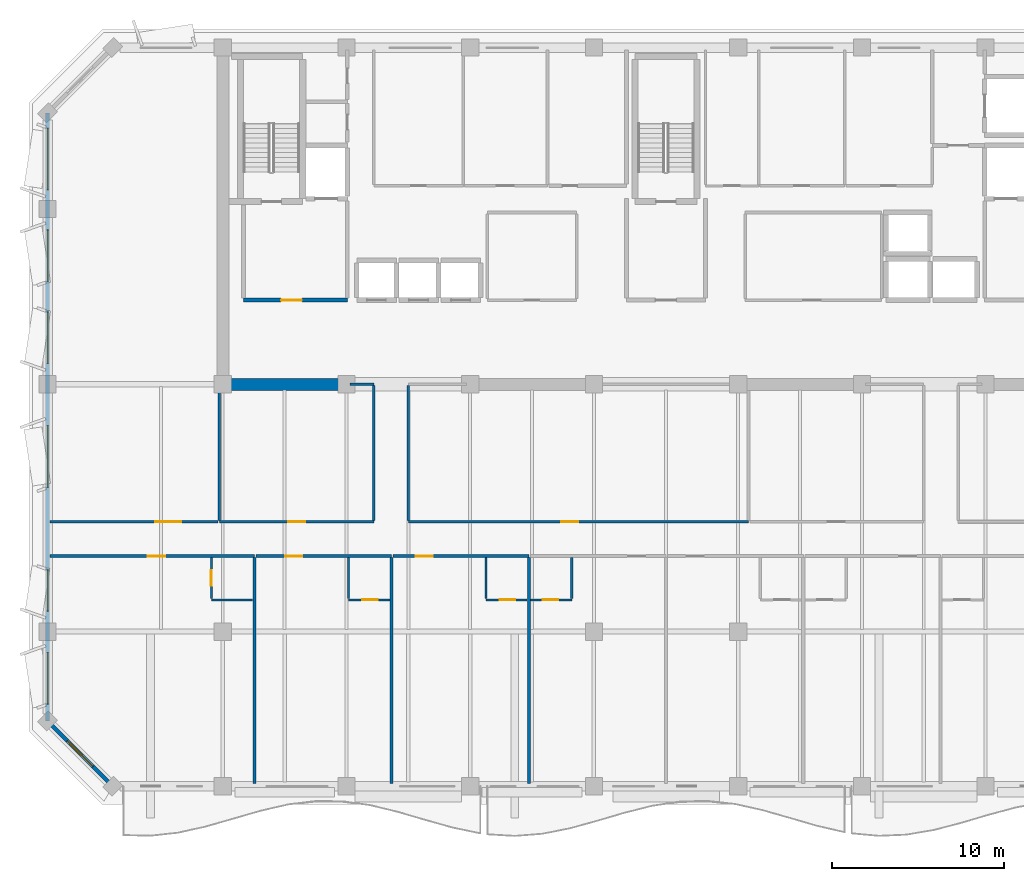
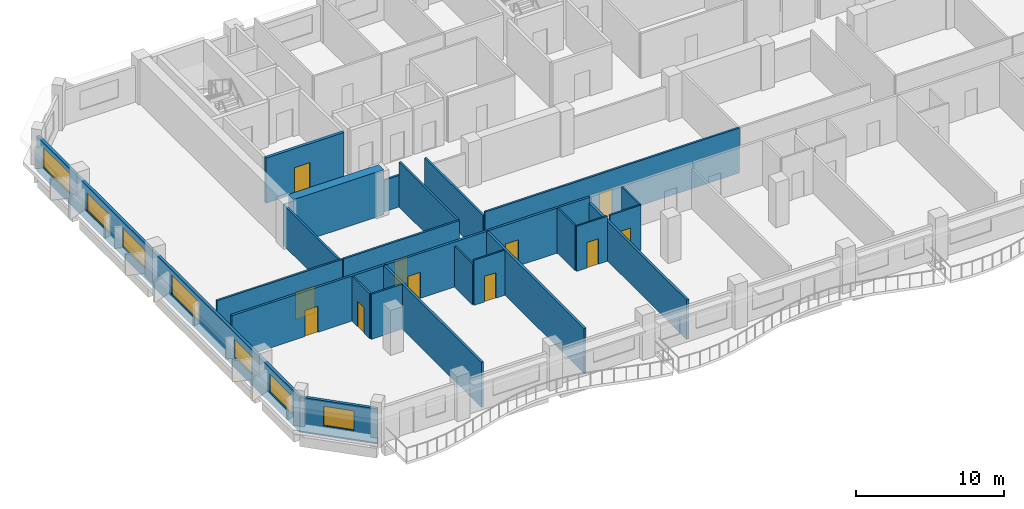
# One storey, part 3 of 11: 25 walls, 11 doors, 7 windows, 18 openings.
"""IFC4 building model written with IfcOpenShell, lengths in metres."""

from ifc_helpers import new_model, si_unit, direction, frame, frame_2d, origin, place, context, subcontext, project, spatial, rectangle, extrude, material, layer, layer_set, type_object, element, fill, save


model = new_model("IFC4")

# Units and contexts
model_context = context("Model", 3, precision=1e-05, world=origin(), true_north=direction((0.0, 1.0)))
body_context = subcontext(model_context, "Body", "Model", "MODEL_VIEW")
ifc_project = project(units=[si_unit("LENGTHUNIT", "METRE"), si_unit("AREAUNIT", "SQUARE_METRE"), si_unit("VOLUMEUNIT", "CUBIC_METRE"), si_unit("PLANEANGLEUNIT", "RADIAN"), si_unit("MASSUNIT", "GRAM", prefix="KILO")], contexts=[model_context])

# Site, building, storey
site_placement = place(None, origin())
site = spatial("IfcSite", under=ifc_project, at=site_placement, CompositionType="ELEMENT")
building_placement = place(site_placement, origin())
building = spatial("IfcBuilding", under=site, at=building_placement, Name="Kaelvorn Grand Hotel", CompositionType="ELEMENT")
storey_placement = place(building_placement, frame((0.0, 0.0, 248.89990234375)))
storey = spatial("IfcBuildingStorey", under=building, at=storey_placement, Name="L61", CompositionType="ELEMENT", Elevation=248.89990234375)

# Wall
ifc_material_1 = material(Name="Concrete C50/60", Category="concrete")
ifc_layer_1 = layer(ifc_material_1, 0.699951171875)
ifc_layer_set_1 = layer_set([ifc_layer_1], Name="Concrete C50/60")
wall_type_1 = type_object("IfcWallType", Name="WL-CORE-700-C50", PredefinedType="SHEAR", material=ifc_layer_set_1)
wall_1_placement = place(storey_placement, frame((16.554931640625, 29.39990234375, 0.0), z_axis=(0.0, 0.0, 1.0), x_axis=(1.0, 0.0, 0.0)))
element("IfcWall", 1, at=wall_1_placement, inside=storey, type_object=wall_type_1, Name="L61 Rear-Core Coupled Shear Pier S1", PredefinedType="SHEAR", context=body_context, shape_type="SweptSolid", body=[
    extrude(rectangle(XDim=7.045166015625, YDim=0.699951171875, at=frame_2d((3.5224609375, 0.0))), origin(), (0.0, 0.0, 1.0), 3.710205078125),
])

# Wall, openings, windows
ifc_material_2 = material(Name="Concrete C40/50", Category="concrete")
ifc_layer_2 = layer(ifc_material_2, 0.219970703125)
ifc_layer_set_2 = layer_set([ifc_layer_2], Name="Concrete C40/50")
wall_type_2 = type_object("IfcWallType", Name="WL-EXT-220-C40", PredefinedType="SOLIDWALL", material=ifc_layer_set_2)
wall_2_placement = place(storey_placement, frame((6.0, 45.199951171875, 0.0), z_axis=(0.0, 0.0, 1.0), x_axis=(0.0, -1.0, 0.0)))
wall_2 = element("IfcWall", 2, at=wall_2_placement, inside=storey, type_object=wall_type_2, Name="L61 Exterior Architectural Concrete Wall 07", PredefinedType="SOLIDWALL", context=body_context, shape_type="SweptSolid", body=[
    extrude(rectangle(XDim=35.39990234375, YDim=0.219970703125, at=frame_2d((17.699951171875, 0.0))), origin(), (0.0, 0.0, 1.0), 2.91015625),
])
opening_1_placement = place(wall_2_placement, frame((31.4150390625, 0.0, 0.85009765625)))
opening_1 = element("IfcOpeningElement", 3, at=opening_1_placement, cuts=wall_2, Name="Opening W5", PredefinedType="OPENING", context=body_context, shape_type="SweptSolid", body=[
    extrude(rectangle(XDim=3.0, YDim=1.5, at=frame_2d((1.5, 0.75))), frame((0.0, 0.1201171875, 0.0), z_axis=(0.0, -1.0, 0.0), x_axis=(1.0, 0.0, 0.0)), (0.0, 0.0, 1.0), 0.239990234375),
])
opening_2_placement = place(wall_2_placement, frame((26.60009765625, 0.0, 0.85009765625)))
opening_2 = element("IfcOpeningElement", 4, at=opening_2_placement, cuts=wall_2, Name="Opening W6", PredefinedType="OPENING", context=body_context, shape_type="SweptSolid", body=[
    extrude(rectangle(XDim=2.39990234375, YDim=1.5, at=frame_2d((1.199951171875, 0.75))), frame((0.0, 0.1201171875, 0.0), z_axis=(0.0, -1.0, 0.0), x_axis=(1.0, 0.0, 0.0)), (0.0, 0.0, 1.0), 0.239990234375),
])
opening_3_placement = place(wall_2_placement, frame((18.199951171875, 0.0, 0.85009765625)))
opening_3 = element("IfcOpeningElement", 5, at=opening_3_placement, cuts=wall_2, Name="Opening W3", PredefinedType="OPENING", context=body_context, shape_type="SweptSolid", body=[
    extrude(rectangle(XDim=3.60009765625, YDim=1.64990234375, at=frame_2d((1.800048828125, 0.824951171875))), frame((0.0, 0.1201171875, 0.0), z_axis=(0.0, -1.0, 0.0), x_axis=(1.0, 0.0, 0.0)), (0.0, 0.0, 1.0), 0.239990234375),
])
opening_4_placement = place(wall_2_placement, frame((11.5849609375, 0.0, 0.85009765625)))
opening_4 = element("IfcOpeningElement", 6, at=opening_4_placement, cuts=wall_2, Name="Opening W5", PredefinedType="OPENING", context=body_context, shape_type="SweptSolid", body=[
    extrude(rectangle(XDim=3.0, YDim=1.5, at=frame_2d((1.5, 0.75))), frame((0.0, 0.1201171875, 0.0), z_axis=(0.0, -1.0, 0.0), x_axis=(1.0, 0.0, 0.0)), (0.0, 0.0, 1.0), 0.239990234375),
])
opening_5_placement = place(wall_2_placement, frame((6.81494140625, 0.0, 0.85009765625)))
opening_5 = element("IfcOpeningElement", 7, at=opening_5_placement, cuts=wall_2, Name="Opening W5", PredefinedType="OPENING", context=body_context, shape_type="SweptSolid", body=[
    extrude(rectangle(XDim=3.0, YDim=1.5, at=frame_2d((1.5, 0.75))), frame((0.0, 0.1201171875, 0.0), z_axis=(0.0, -1.0, 0.0), x_axis=(1.0, 0.0, 0.0)), (0.0, 0.0, 1.0), 0.239990234375),
])
opening_6_placement = place(wall_2_placement, frame((0.885009765625, 0.0, 0.85009765625)))
opening_6 = element("IfcOpeningElement", 8, at=opening_6_placement, cuts=wall_2, Name="Opening W3", PredefinedType="OPENING", context=body_context, shape_type="SweptSolid", body=[
    extrude(rectangle(XDim=3.60009765625, YDim=1.64990234375, at=frame_2d((1.800048828125, 0.824951171875))), frame((0.0, 0.1201171875, 0.0), z_axis=(0.0, -1.0, 0.0), x_axis=(1.0, 0.0, 0.0)), (0.0, 0.0, 1.0), 0.239990234375),
])
ifc_material_3 = material(Name="Laminated Low-E Glass", Category="glass")
window_type_1 = type_object("IfcWindowType", Name="WIN-NTH-2400x1500", PartitioningType="SINGLE_PANEL", PredefinedType="WINDOW", material=ifc_material_3)
window_1_placement = place(opening_2_placement, origin())
window_1 = element("IfcWindow", 9, at=window_1_placement, inside=storey, type_object=window_type_1, Name="L61 W Wing Tilted-Frame Ribbon Window W02", OverallHeight=1.5, OverallWidth=2.39990234375, PartitioningType="SINGLE_PANEL", PredefinedType="WINDOW", context=body_context, shape_type="SweptSolid", body=[
    extrude(rectangle(XDim=2.39990234375, YDim=1.5, at=frame_2d((1.199951171875, 0.75))), frame((0.0, 0.030029296875, 0.0), z_axis=(0.0, -1.0, 0.0), x_axis=(1.0, 0.0, 0.0)), (0.0, 0.0, 1.0), 0.06005859375),
])
fill(opening_2, window_1)
window_type_2 = type_object("IfcWindowType", Name="WIN-NTH-3000x1500", PartitioningType="SINGLE_PANEL", PredefinedType="WINDOW", material=ifc_material_3)
window_2_placement = place(opening_1_placement, origin())
window_2 = element("IfcWindow", 10, at=window_2_placement, inside=storey, type_object=window_type_2, Name="L61 W Wing Tilted-Frame Ribbon Window W01", OverallHeight=1.5, OverallWidth=3.0, PartitioningType="SINGLE_PANEL", PredefinedType="WINDOW", context=body_context, shape_type="SweptSolid", body=[
    extrude(rectangle(XDim=3.0, YDim=1.5, at=frame_2d((1.5, 0.75))), frame((0.0, 0.030029296875, 0.0), z_axis=(0.0, -1.0, 0.0), x_axis=(1.0, 0.0, 0.0)), (0.0, 0.0, 1.0), 0.06005859375),
])
fill(opening_1, window_2)
window_3_placement = place(opening_4_placement, origin())
window_3 = element("IfcWindow", 11, at=window_3_placement, inside=storey, type_object=window_type_2, Name="L61 W Wing Tilted-Frame Ribbon Window W04", OverallHeight=1.5, OverallWidth=3.0, PartitioningType="SINGLE_PANEL", PredefinedType="WINDOW", context=body_context, shape_type="SweptSolid", body=[
    extrude(rectangle(XDim=3.0, YDim=1.5, at=frame_2d((1.5, 0.75))), frame((0.0, 0.030029296875, 0.0), z_axis=(0.0, -1.0, 0.0), x_axis=(1.0, 0.0, 0.0)), (0.0, 0.0, 1.0), 0.06005859375),
])
fill(opening_4, window_3)
window_4_placement = place(opening_5_placement, origin())
window_4 = element("IfcWindow", 12, at=window_4_placement, inside=storey, type_object=window_type_2, Name="L61 W Wing Tilted-Frame Ribbon Window W05", OverallHeight=1.5, OverallWidth=3.0, PartitioningType="SINGLE_PANEL", PredefinedType="WINDOW", context=body_context, shape_type="SweptSolid", body=[
    extrude(rectangle(XDim=3.0, YDim=1.5, at=frame_2d((1.5, 0.75))), frame((0.0, 0.030029296875, 0.0), z_axis=(0.0, -1.0, 0.0), x_axis=(1.0, 0.0, 0.0)), (0.0, 0.0, 1.0), 0.06005859375),
])
fill(opening_5, window_4)
window_type_3 = type_object("IfcWindowType", Name="WIN-RIB-3600x1750", PartitioningType="SINGLE_PANEL", PredefinedType="WINDOW", material=ifc_material_3)
window_5_placement = place(opening_3_placement, origin())
window_5 = element("IfcWindow", 13, at=window_5_placement, inside=storey, type_object=window_type_3, Name="L61 W Wing Tilted-Frame Ribbon Window W03", OverallHeight=1.64990234375, OverallWidth=3.60009765625, PartitioningType="SINGLE_PANEL", PredefinedType="WINDOW", context=body_context, shape_type="SweptSolid", body=[
    extrude(rectangle(XDim=3.60009765625, YDim=1.64990234375, at=frame_2d((1.800048828125, 0.824951171875))), frame((0.0, 0.030029296875, 0.0), z_axis=(0.0, -1.0, 0.0), x_axis=(1.0, 0.0, 0.0)), (0.0, 0.0, 1.0), 0.06005859375),
])
fill(opening_3, window_5)
window_6_placement = place(opening_6_placement, origin())
window_6 = element("IfcWindow", 14, at=window_6_placement, inside=storey, type_object=window_type_3, Name="L61 W Wing Tilted-Frame Ribbon Window W06", OverallHeight=1.64990234375, OverallWidth=3.60009765625, PartitioningType="SINGLE_PANEL", PredefinedType="WINDOW", context=body_context, shape_type="SweptSolid", body=[
    extrude(rectangle(XDim=3.60009765625, YDim=1.64990234375, at=frame_2d((1.800048828125, 0.824951171875))), frame((0.0, 0.030029296875, 0.0), z_axis=(0.0, -1.0, 0.0), x_axis=(1.0, 0.0, 0.0)), (0.0, 0.0, 1.0), 0.06005859375),
])
fill(opening_6, window_6)

# Wall, opening, window
wall_3_placement = place(storey_placement, frame((6.0, 9.800048828125, 0.0), z_axis=(0.0, 0.0, 1.0), x_axis=(0.707106781187, -0.707106781187, 0.0)))
wall_3 = element("IfcWall", 15, at=wall_3_placement, inside=storey, type_object=wall_type_2, Name="L61 Exterior Architectural Concrete Wall 08", PredefinedType="SOLIDWALL", context=body_context, shape_type="SweptSolid", body=[
    extrude(rectangle(XDim=5.3740234375, YDim=0.219970703125, at=frame_2d((2.68701171875, 0.0))), origin(), (0.0, 0.0, 1.0), 2.91015625),
])
opening_7_placement = place(wall_3_placement, frame((1.636962890625, 0.0, 0.85009765625)))
opening_7 = element("IfcOpeningElement", 16, at=opening_7_placement, cuts=wall_3, Name="Opening W7", PredefinedType="OPENING", context=body_context, shape_type="SweptSolid", body=[
    extrude(rectangle(XDim=2.10009765625, YDim=1.60009765625, at=frame_2d((1.050048828125, 0.800048828125))), frame((0.0, 0.1201171875, 0.0), z_axis=(0.0, -1.0, 0.0), x_axis=(1.0, 0.0, 0.0)), (0.0, 0.0, 1.0), 0.239990234375),
])
window_type_4 = type_object("IfcWindowType", Name="WIN-CHM-2100x1600", PartitioningType="SINGLE_PANEL", PredefinedType="WINDOW", material=ifc_material_3)
window_7_placement = place(opening_7_placement, origin())
window_7 = element("IfcWindow", 17, at=window_7_placement, inside=storey, type_object=window_type_4, Name="L61 Chamfered 45-Degree Corner Window SW", OverallHeight=1.60009765625, OverallWidth=2.10009765625, PartitioningType="SINGLE_PANEL", PredefinedType="WINDOW", context=body_context, shape_type="SweptSolid", body=[
    extrude(rectangle(XDim=2.10009765625, YDim=1.60009765625, at=frame_2d((1.050048828125, 0.800048828125))), frame((0.0, 0.030029296875, 0.0), z_axis=(0.0, -1.0, 0.0), x_axis=(1.0, 0.0, 0.0)), (0.0, 0.0, 1.0), 0.06005859375),
])
fill(opening_7, window_7)

# Wall
ifc_material_4 = material(Name="Moisture-Resistant Tile & Stud Board")
ifc_layer_3 = layer(ifc_material_4, 0.125)
ifc_layer_set_3 = layer_set([ifc_layer_3], Name="Moisture-Resistant Tile & Stud Board")
wall_type_3 = type_object("IfcWallType", Name="WL-PART-125-WET", PredefinedType="PARTITIONING", material=ifc_layer_set_3)
wall_4_placement = place(storey_placement, frame((15.53759765625, 16.85009765625, 0.0), z_axis=(0.0, 0.0, 1.0), x_axis=(1.0, 0.0, 0.0)))
element("IfcWall", 18, at=wall_4_placement, inside=storey, type_object=wall_type_3, Name="L61 En-suite Bathroom L61-01 S Partition", PredefinedType="PARTITIONING", context=body_context, shape_type="SweptSolid", body=[
    extrude(rectangle(XDim=2.40478515625, YDim=0.125, at=frame_2d((1.202392578125, 0.0))), origin(), (0.0, 0.0, 1.0), 3.710205078125),
])

# Wall, opening, door
wall_5_placement = place(storey_placement, frame((15.53759765625, 16.91748046875, 0.0), z_axis=(0.0, 0.0, 1.0), x_axis=(0.0, 1.0, 0.0)))
wall_5 = element("IfcWall", 19, at=wall_5_placement, inside=storey, type_object=wall_type_3, Name="L61 En-suite Bathroom L61-01 W Partition", PredefinedType="PARTITIONING", context=body_context, shape_type="SweptSolid", body=[
    extrude(rectangle(XDim=2.387451171875, YDim=0.125, at=frame_2d((1.19384765625, 0.0))), origin(), (0.0, 0.0, 1.0), 3.710205078125),
])
opening_8_placement = place(wall_5_placement, frame((0.757568359375, 0.0, 0.0)))
opening_8 = element("IfcOpeningElement", 20, at=opening_8_placement, cuts=wall_5, Name="Opening DI4", PredefinedType="OPENING", context=body_context, shape_type="SweptSolid", body=[
    extrude(rectangle(XDim=0.89990234375, YDim=2.10009765625, at=frame_2d((0.449951171875, 1.050048828125))), frame((0.0, 0.072509765625, 0.0), z_axis=(0.0, -1.0, 0.0), x_axis=(1.0, 0.0, 0.0)), (0.0, 0.0, 1.0), 0.14501953125),
])
ifc_material_5 = material(Name="Timber Veneer Leaf", Category="wood")
door_type_1 = type_object("IfcDoorType", Name="DR-INT-BATH-900x2100", OperationType="NOTDEFINED", PredefinedType="DOOR", material=ifc_material_5)
door_1_placement = place(opening_8_placement, origin())
door_1 = element("IfcDoor", 21, at=door_1_placement, inside=storey, type_object=door_type_1, Name="L61 En-suite Bathroom L61-01 Door", OperationType="SINGLE_SWING_LEFT", OverallHeight=2.10009765625, OverallWidth=0.89990234375, PredefinedType="DOOR", context=body_context, shape_type="SweptSolid", body=[
    extrude(rectangle(XDim=0.89990234375, YDim=2.10009765625, at=frame_2d((0.449951171875, 1.050048828125))), frame((0.0, 0.02490234375, 0.0), z_axis=(0.0, -1.0, 0.0), x_axis=(1.0, 0.0, 0.0)), (0.0, 0.0, 1.0), 0.050048828125),
])
fill(opening_8, door_1)

wall_6_placement = place(storey_placement, frame((23.52490234375, 16.85009765625, 0.0), z_axis=(0.0, 0.0, 1.0), x_axis=(1.0, 0.0, 0.0)))
wall_6 = element("IfcWall", 22, at=wall_6_placement, inside=storey, type_object=wall_type_3, Name="L61 En-suite Bathroom L61-02 S Partition", PredefinedType="PARTITIONING", context=body_context, shape_type="SweptSolid", body=[
    extrude(rectangle(XDim=2.405029296875, YDim=0.125, at=frame_2d((1.20263671875, 0.0))), origin(), (0.0, 0.0, 1.0), 3.710205078125),
])
opening_9_placement = place(wall_6_placement, frame((0.800048828125, 0.0, 0.0)))
opening_9 = element("IfcOpeningElement", 23, at=opening_9_placement, cuts=wall_6, Name="Opening DI4", PredefinedType="OPENING", context=body_context, shape_type="SweptSolid", body=[
    extrude(rectangle(XDim=0.89990234375, YDim=2.10009765625, at=frame_2d((0.449951171875, 1.050048828125))), frame((0.0, 0.072509765625, 0.0), z_axis=(0.0, -1.0, 0.0), x_axis=(1.0, 0.0, 0.0)), (0.0, 0.0, 1.0), 0.14501953125),
])
door_2_placement = place(opening_9_placement, origin())
door_2 = element("IfcDoor", 24, at=door_2_placement, inside=storey, type_object=door_type_1, Name="L61 En-suite Bathroom L61-02 Door", OperationType="SINGLE_SWING_LEFT", OverallHeight=2.10009765625, OverallWidth=0.89990234375, PredefinedType="DOOR", context=body_context, shape_type="SweptSolid", body=[
    extrude(rectangle(XDim=0.89990234375, YDim=2.10009765625, at=frame_2d((0.449951171875, 1.050048828125))), frame((0.0, 0.02490234375, 0.0), z_axis=(0.0, -1.0, 0.0), x_axis=(1.0, 0.0, 0.0)), (0.0, 0.0, 1.0), 0.050048828125),
])
fill(opening_9, door_2)

# Wall
wall_7_placement = place(storey_placement, frame((23.52490234375, 16.91748046875, 0.0), z_axis=(0.0, 0.0, 1.0), x_axis=(0.0, 1.0, 0.0)))
element("IfcWall", 25, at=wall_7_placement, inside=storey, type_object=wall_type_3, Name="L61 En-suite Bathroom L61-02 W Partition", PredefinedType="PARTITIONING", context=body_context, shape_type="SweptSolid", body=[
    extrude(rectangle(XDim=2.387451171875, YDim=0.125, at=frame_2d((1.19384765625, 0.0))), origin(), (0.0, 0.0, 1.0), 3.35009765625),
])

# Wall, opening, door
wall_8_placement = place(storey_placement, frame((31.512451171875, 16.85009765625, 0.0), z_axis=(0.0, 0.0, 1.0), x_axis=(1.0, 0.0, 0.0)))
wall_8 = element("IfcWall", 26, at=wall_8_placement, inside=storey, type_object=wall_type_3, Name="L61 En-suite Bathroom L61-03 S Partition", PredefinedType="PARTITIONING", context=body_context, shape_type="SweptSolid", body=[
    extrude(rectangle(XDim=2.405029296875, YDim=0.125, at=frame_2d((1.20263671875, 0.0))), origin(), (0.0, 0.0, 1.0), 3.710205078125),
])
opening_10_placement = place(wall_8_placement, frame((0.800048828125, 0.0, 0.0)))
opening_10 = element("IfcOpeningElement", 27, at=opening_10_placement, cuts=wall_8, Name="Opening DI4", PredefinedType="OPENING", context=body_context, shape_type="SweptSolid", body=[
    extrude(rectangle(XDim=0.89990234375, YDim=2.10009765625, at=frame_2d((0.449951171875, 1.050048828125))), frame((0.0, 0.072509765625, 0.0), z_axis=(0.0, -1.0, 0.0), x_axis=(1.0, 0.0, 0.0)), (0.0, 0.0, 1.0), 0.14501953125),
])
door_3_placement = place(opening_10_placement, origin())
door_3 = element("IfcDoor", 28, at=door_3_placement, inside=storey, type_object=door_type_1, Name="L61 En-suite Bathroom L61-03 Door", OperationType="SINGLE_SWING_LEFT", OverallHeight=2.10009765625, OverallWidth=0.89990234375, PredefinedType="DOOR", context=body_context, shape_type="SweptSolid", body=[
    extrude(rectangle(XDim=0.89990234375, YDim=2.10009765625, at=frame_2d((0.449951171875, 1.050048828125))), frame((0.0, 0.02490234375, 0.0), z_axis=(0.0, -1.0, 0.0), x_axis=(1.0, 0.0, 0.0)), (0.0, 0.0, 1.0), 0.050048828125),
])
fill(opening_10, door_3)

# Wall
wall_9_placement = place(storey_placement, frame((31.512451171875, 16.91748046875, 0.0), z_axis=(0.0, 0.0, 1.0), x_axis=(0.0, 1.0, 0.0)))
element("IfcWall", 29, at=wall_9_placement, inside=storey, type_object=wall_type_3, Name="L61 En-suite Bathroom L61-03 W Partition", PredefinedType="PARTITIONING", context=body_context, shape_type="SweptSolid", body=[
    extrude(rectangle(XDim=2.387451171875, YDim=0.125, at=frame_2d((1.19384765625, 0.0))), origin(), (0.0, 0.0, 1.0), 3.710205078125),
])

# Wall, opening, door
wall_10_placement = place(storey_placement, frame((34.107421875, 16.85009765625, 0.0), z_axis=(0.0, 0.0, 1.0), x_axis=(1.0, 0.0, 0.0)))
wall_10 = element("IfcWall", 30, at=wall_10_placement, inside=storey, type_object=wall_type_3, Name="L61 En-suite Bathroom L61-04 S Partition", PredefinedType="PARTITIONING", context=body_context, shape_type="SweptSolid", body=[
    extrude(rectangle(XDim=2.405029296875, YDim=0.125, at=frame_2d((1.20263671875, 0.0))), origin(), (0.0, 0.0, 1.0), 3.710205078125),
])
opening_11_placement = place(wall_10_placement, frame((0.705078125, 0.0, 0.0)))
opening_11 = element("IfcOpeningElement", 31, at=opening_11_placement, cuts=wall_10, Name="Opening DI4", PredefinedType="OPENING", context=body_context, shape_type="SweptSolid", body=[
    extrude(rectangle(XDim=0.89990234375, YDim=2.10009765625, at=frame_2d((0.449951171875, 1.050048828125))), frame((0.0, 0.072509765625, 0.0), z_axis=(0.0, -1.0, 0.0), x_axis=(1.0, 0.0, 0.0)), (0.0, 0.0, 1.0), 0.14501953125),
])
door_4_placement = place(opening_11_placement, origin())
door_4 = element("IfcDoor", 32, at=door_4_placement, inside=storey, type_object=door_type_1, Name="L61 En-suite Bathroom L61-04 Door", OperationType="SINGLE_SWING_LEFT", OverallHeight=2.10009765625, OverallWidth=0.89990234375, PredefinedType="DOOR", context=body_context, shape_type="SweptSolid", body=[
    extrude(rectangle(XDim=0.89990234375, YDim=2.10009765625, at=frame_2d((0.449951171875, 1.050048828125))), frame((0.0, 0.02490234375, 0.0), z_axis=(0.0, -1.0, 0.0), x_axis=(1.0, 0.0, 0.0)), (0.0, 0.0, 1.0), 0.050048828125),
])
fill(opening_11, door_4)

# Wall
wall_11_placement = place(storey_placement, frame((36.512451171875, 16.91748046875, 0.0), z_axis=(0.0, 0.0, 1.0), x_axis=(0.0, 1.0, 0.0)))
element("IfcWall", 33, at=wall_11_placement, inside=storey, type_object=wall_type_3, Name="L61 En-suite Bathroom L61-04 E Partition", PredefinedType="PARTITIONING", context=body_context, shape_type="SweptSolid", body=[
    extrude(rectangle(XDim=2.387451171875, YDim=0.125, at=frame_2d((1.19384765625, 0.0))), origin(), (0.0, 0.0, 1.0), 3.710205078125),
])

# Wall, opening, door
ifc_material_6 = material(Name="Acoustic Gypsum & Stud Partition")
ifc_layer_4 = layer(ifc_material_6, 0.14990234375)
ifc_layer_set_4 = layer_set([ifc_layer_4], Name="Acoustic Gypsum & Stud Partition")
wall_type_4 = type_object("IfcWallType", Name="WL-PART-150-EI60", PredefinedType="PARTITIONING", material=ifc_layer_set_4)
wall_12_placement = place(storey_placement, frame((16.0, 21.39990234375, 0.0), z_axis=(0.0, 0.0, 1.0), x_axis=(1.0, 0.0, 0.0)))
wall_12 = element("IfcWall", 34, at=wall_12_placement, inside=storey, type_object=wall_type_4, Name="L61 Private Dining Restaurant S Partition", PredefinedType="PARTITIONING", context=body_context, shape_type="SweptSolid", body=[
    extrude(rectangle(XDim=9.0, YDim=0.14990234375, at=frame_2d((4.5, 0.0))), origin(), (0.0, 0.0, 1.0), 3.710205078125),
])
opening_12_placement = place(wall_12_placement, frame((4.0, 0.0, 0.0)))
opening_12 = element("IfcOpeningElement", 35, at=opening_12_placement, cuts=wall_12, Name="Opening DI3", PredefinedType="OPENING", context=body_context, shape_type="SweptSolid", body=[
    extrude(rectangle(XDim=1.0, YDim=2.14990234375, at=frame_2d((0.5, 1.074951171875))), frame((0.0, 0.0849609375, 0.0), z_axis=(0.0, -1.0, 0.0), x_axis=(1.0, 0.0, 0.0)), (0.0, 0.0, 1.0), 0.169921875),
])
ifc_material_7 = material(Name="Timber Veneer Fire Leaf", Category="wood")
door_type_2 = type_object("IfcDoorType", Name="DR-INT-GUEST-1000x2150", OperationType="NOTDEFINED", PredefinedType="DOOR", material=ifc_material_7)
door_5_placement = place(opening_12_placement, origin())
door_5 = element("IfcDoor", 36, at=door_5_placement, inside=storey, type_object=door_type_2, Name="L61 Private Dining Restaurant Door", OperationType="SINGLE_SWING_RIGHT", OverallHeight=2.14990234375, OverallWidth=1.0, PredefinedType="DOOR", context=body_context, shape_type="SweptSolid", body=[
    extrude(rectangle(XDim=1.0, YDim=2.14990234375, at=frame_2d((0.5, 1.074951171875))), frame((0.0, 0.02490234375, 0.0), z_axis=(0.0, -1.0, 0.0), x_axis=(1.0, 0.0, 0.0)), (0.0, 0.0, 1.0), 0.050048828125),
])
fill(opening_12, door_5)

# Walls
wall_13_placement = place(storey_placement, frame((23.610107421875, 29.39990234375, 0.0), z_axis=(0.0, 0.0, 1.0), x_axis=(1.0, 0.0, 0.0)))
element("IfcWall", 37, at=wall_13_placement, inside=storey, type_object=wall_type_4, Name="L61 Private Dining Restaurant N Partition", PredefinedType="PARTITIONING", context=body_context, shape_type="SweptSolid", body=[
    extrude(rectangle(XDim=1.389892578125, YDim=0.14990234375, at=frame_2d((0.69482421875, 0.0))), origin(), (0.0, 0.0, 1.0), 2.610107421875),
])
wall_14_placement = place(storey_placement, frame((16.0, 21.47998046875, 0.0), z_axis=(0.0, 0.0, 1.0), x_axis=(0.0, 1.0, 0.0)))
element("IfcWall", 38, at=wall_14_placement, inside=storey, type_object=wall_type_4, Name="L61 Private Dining Restaurant W Partition", PredefinedType="PARTITIONING", context=body_context, shape_type="SweptSolid", body=[
    extrude(rectangle(XDim=7.909912109375, YDim=0.14990234375, at=frame_2d((3.955078125, 0.0))), origin(), (0.0, 0.0, 1.0), 3.35009765625),
])
wall_15_placement = place(storey_placement, frame((25.0, 21.47998046875, 0.0), z_axis=(0.0, 0.0, 1.0), x_axis=(0.0, 1.0, 0.0)))
element("IfcWall", 39, at=wall_15_placement, inside=storey, type_object=wall_type_4, Name="L61 Private Dining Restaurant E Partition", PredefinedType="PARTITIONING", context=body_context, shape_type="SweptSolid", body=[
    extrude(rectangle(XDim=7.840087890625, YDim=0.14990234375, at=frame_2d((3.919921875, 0.0))), origin(), (0.0, 0.0, 1.0), 3.710205078125),
])

# Wall, opening, door
wall_16_placement = place(storey_placement, frame((27.0, 21.39990234375, 0.0), z_axis=(0.0, 0.0, 1.0), x_axis=(1.0, 0.0, 0.0)))
wall_16 = element("IfcWall", 40, at=wall_16_placement, inside=storey, type_object=wall_type_4, Name="L61 Hospitality Tea Kitchen S Partition", PredefinedType="PARTITIONING", context=body_context, shape_type="SweptSolid", body=[
    extrude(rectangle(XDim=19.800048828125, YDim=0.14990234375, at=frame_2d((9.89990234375, 0.0))), origin(), (0.0, 0.0, 1.0), 3.710205078125),
])
opening_13_placement = place(wall_16_placement, frame((8.89990234375, 0.0, 0.0)))
opening_13 = element("IfcOpeningElement", 41, at=opening_13_placement, cuts=wall_16, Name="Opening DI3", PredefinedType="OPENING", context=body_context, shape_type="SweptSolid", body=[
    extrude(rectangle(XDim=1.0, YDim=2.14990234375, at=frame_2d((0.5, 1.074951171875))), frame((0.0, 0.0849609375, 0.0), z_axis=(0.0, -1.0, 0.0), x_axis=(1.0, 0.0, 0.0)), (0.0, 0.0, 1.0), 0.169921875),
])
door_6_placement = place(opening_13_placement, origin())
door_6 = element("IfcDoor", 42, at=door_6_placement, inside=storey, type_object=door_type_2, Name="L61 Hospitality Tea Kitchen Door", OperationType="SINGLE_SWING_LEFT", OverallHeight=2.14990234375, OverallWidth=1.0, PredefinedType="DOOR", context=body_context, shape_type="SweptSolid", body=[
    extrude(rectangle(XDim=1.0, YDim=2.14990234375, at=frame_2d((0.5, 1.074951171875))), frame((0.0, 0.02490234375, 0.0), z_axis=(0.0, -1.0, 0.0), x_axis=(1.0, 0.0, 0.0)), (0.0, 0.0, 1.0), 0.050048828125),
])
fill(opening_13, door_6)

# Wall
wall_17_placement = place(storey_placement, frame((27.0, 21.47998046875, 0.0), z_axis=(0.0, 0.0, 1.0), x_axis=(0.0, 1.0, 0.0)))
element("IfcWall", 43, at=wall_17_placement, inside=storey, type_object=wall_type_4, Name="L61 Hospitality Tea Kitchen W Partition", PredefinedType="PARTITIONING", context=body_context, shape_type="SweptSolid", body=[
    extrude(rectangle(XDim=7.840087890625, YDim=0.14990234375, at=frame_2d((3.919921875, 0.0))), origin(), (0.0, 0.0, 1.0), 3.35009765625),
])

# Wall, opening, door
wall_18_placement = place(storey_placement, frame((6.14990234375, 21.39990234375, 0.0), z_axis=(0.0, 0.0, 1.0), x_axis=(1.0, 0.0, 0.0)))
wall_18 = element("IfcWall", 44, at=wall_18_placement, inside=storey, type_object=wall_type_4, Name="L61 West Sky Wellness Fitness Gym S Partition", PredefinedType="PARTITIONING", context=body_context, shape_type="SweptSolid", body=[
    extrude(rectangle(XDim=9.77001953125, YDim=0.14990234375, at=frame_2d((4.885009765625, 0.0))), origin(), (0.0, 0.0, 1.0), 3.710205078125),
])
opening_14_placement = place(wall_18_placement, frame((6.1298828125, 0.0, 0.0)))
opening_14 = element("IfcOpeningElement", 45, at=opening_14_placement, cuts=wall_18, Name="Opening DI5", PredefinedType="OPENING", context=body_context, shape_type="SweptSolid", body=[
    extrude(rectangle(XDim=1.5, YDim=2.25, at=frame_2d((0.75, 1.125))), frame((0.0, 0.0849609375, 0.0), z_axis=(0.0, -1.0, 0.0), x_axis=(1.0, 0.0, 0.0)), (0.0, 0.0, 1.0), 0.169921875),
])
door_type_3 = type_object("IfcDoorType", Name="DR-INT-SALON-1500x2250", OperationType="DOUBLE_DOOR_SINGLE_SWING", PredefinedType="DOOR", material=ifc_material_7)
door_7_placement = place(opening_14_placement, origin())
door_7 = element("IfcDoor", 46, at=door_7_placement, inside=storey, type_object=door_type_3, Name="L61 West Sky Wellness Fitness Gym Door", OperationType="DOUBLE_DOOR_SINGLE_SWING", OverallHeight=2.25, OverallWidth=1.5, PredefinedType="DOOR", context=body_context, shape_type="SweptSolid", body=[
    extrude(rectangle(XDim=1.5, YDim=2.25, at=frame_2d((0.75, 1.125))), frame((0.0, 0.02490234375, 0.0), z_axis=(0.0, -1.0, 0.0), x_axis=(1.0, 0.0, 0.0)), (0.0, 0.0, 1.0), 0.050048828125),
])
fill(opening_14, door_7)

ifc_layer_5 = layer(ifc_material_6, 0.179931640625)
ifc_layer_set_5 = layer_set([ifc_layer_5], Name="Acoustic Gypsum & Stud Partition")
wall_type_5 = type_object("IfcWallType", Name="WL-PART-180-EI60", PredefinedType="PARTITIONING", material=ifc_layer_set_5)
wall_19_placement = place(storey_placement, frame((6.14990234375, 19.39990234375, 0.0), z_axis=(0.0, 0.0, 1.0), x_axis=(1.0, 0.0, 0.0)))
wall_19 = element("IfcWall", 47, at=wall_19_placement, inside=storey, type_object=wall_type_5, Name="L61 Ambassador Sky Suite L61-01 N Partition", PredefinedType="PARTITIONING", context=body_context, shape_type="SweptSolid", body=[
    extrude(rectangle(XDim=11.8876953125, YDim=0.179931640625, at=frame_2d((5.94384765625, 0.0))), origin(), (0.0, 0.0, 1.0), 3.710205078125),
])
opening_15_placement = place(wall_19_placement, frame((5.69384765625, 0.0, 0.0)))
opening_15 = element("IfcOpeningElement", 48, at=opening_15_placement, cuts=wall_19, Name="Opening DI3", PredefinedType="OPENING", context=body_context, shape_type="SweptSolid", body=[
    extrude(rectangle(XDim=1.0, YDim=2.14990234375, at=frame_2d((0.5, 1.074951171875))), frame((0.0, 0.10009765625, 0.0), z_axis=(0.0, -1.0, 0.0), x_axis=(1.0, 0.0, 0.0)), (0.0, 0.0, 1.0), 0.199951171875),
])
door_8_placement = place(opening_15_placement, origin())
door_8 = element("IfcDoor", 49, at=door_8_placement, inside=storey, type_object=door_type_2, Name="L61 Ambassador Sky Suite L61-01 Door", OperationType="SINGLE_SWING_RIGHT", OverallHeight=2.14990234375, OverallWidth=1.0, PredefinedType="DOOR", context=body_context, shape_type="SweptSolid", body=[
    extrude(rectangle(XDim=1.0, YDim=2.14990234375, at=frame_2d((0.5, 1.074951171875))), frame((0.0, 0.02490234375, 0.0), z_axis=(0.0, -1.0, 0.0), x_axis=(1.0, 0.0, 0.0)), (0.0, 0.0, 1.0), 0.050048828125),
])
fill(opening_15, door_8)

# Wall
wall_20_placement = place(storey_placement, frame((18.03759765625, 6.14990234375, 0.0), z_axis=(0.0, 0.0, 1.0), x_axis=(0.0, 1.0, 0.0)))
element("IfcWall", 50, at=wall_20_placement, inside=storey, type_object=wall_type_5, Name="L61 Ambassador Sky Suite L61-01 E Partition", PredefinedType="PARTITIONING", context=body_context, shape_type="SweptSolid", body=[
    extrude(rectangle(XDim=13.155029296875, YDim=0.179931640625, at=frame_2d((6.57763671875, 0.0))), origin(), (0.0, 0.0, 1.0), 3.710205078125),
])

# Wall, opening, door
wall_21_placement = place(storey_placement, frame((18.132568359375, 19.39990234375, 0.0), z_axis=(0.0, 0.0, 1.0), x_axis=(1.0, 0.0, 0.0)))
wall_21 = element("IfcWall", 51, at=wall_21_placement, inside=storey, type_object=wall_type_5, Name="L61 Ambassador Junior Suite L61-02 N Partition", PredefinedType="PARTITIONING", context=body_context, shape_type="SweptSolid", body=[
    extrude(rectangle(XDim=7.892333984375, YDim=0.179931640625, at=frame_2d((3.9462890625, 0.0))), origin(), (0.0, 0.0, 1.0), 3.710205078125),
])
opening_16_placement = place(wall_21_placement, frame((1.6962890625, 0.0, 0.0)))
opening_16 = element("IfcOpeningElement", 52, at=opening_16_placement, cuts=wall_21, Name="Opening DI3", PredefinedType="OPENING", context=body_context, shape_type="SweptSolid", body=[
    extrude(rectangle(XDim=1.0, YDim=2.14990234375, at=frame_2d((0.5, 1.074951171875))), frame((0.0, 0.10009765625, 0.0), z_axis=(0.0, -1.0, 0.0), x_axis=(1.0, 0.0, 0.0)), (0.0, 0.0, 1.0), 0.199951171875),
])
door_9_placement = place(opening_16_placement, origin())
door_9 = element("IfcDoor", 53, at=door_9_placement, inside=storey, type_object=door_type_2, Name="L61 Ambassador Junior Suite L61-02 Door", OperationType="SINGLE_SWING_RIGHT", OverallHeight=2.14990234375, OverallWidth=1.0, PredefinedType="DOOR", context=body_context, shape_type="SweptSolid", body=[
    extrude(rectangle(XDim=1.0, YDim=2.14990234375, at=frame_2d((0.5, 1.074951171875))), frame((0.0, 0.02490234375, 0.0), z_axis=(0.0, -1.0, 0.0), x_axis=(1.0, 0.0, 0.0)), (0.0, 0.0, 1.0), 0.050048828125),
])
fill(opening_16, door_9)

# Wall
wall_22_placement = place(storey_placement, frame((26.02490234375, 6.14990234375, 0.0), z_axis=(0.0, 0.0, 1.0), x_axis=(0.0, 1.0, 0.0)))
element("IfcWall", 54, at=wall_22_placement, inside=storey, type_object=wall_type_5, Name="L61 Ambassador Junior Suite L61-02 E Partition", PredefinedType="PARTITIONING", context=body_context, shape_type="SweptSolid", body=[
    extrude(rectangle(XDim=13.155029296875, YDim=0.179931640625, at=frame_2d((6.57763671875, 0.0))), origin(), (0.0, 0.0, 1.0), 3.710205078125),
])

# Wall, opening, door
wall_23_placement = place(storey_placement, frame((26.1201171875, 19.39990234375, 0.0), z_axis=(0.0, 0.0, 1.0), x_axis=(1.0, 0.0, 0.0)))
wall_23 = element("IfcWall", 55, at=wall_23_placement, inside=storey, type_object=wall_type_5, Name="L61 Ambassador Sky Suite L61-03 N Partition", PredefinedType="PARTITIONING", context=body_context, shape_type="SweptSolid", body=[
    extrude(rectangle(XDim=7.892333984375, YDim=0.179931640625, at=frame_2d((3.9462890625, 0.0))), origin(), (0.0, 0.0, 1.0), 3.710205078125),
])
opening_17_placement = place(wall_23_placement, frame((1.302490234375, 0.0, 0.0)))
opening_17 = element("IfcOpeningElement", 56, at=opening_17_placement, cuts=wall_23, Name="Opening DI3", PredefinedType="OPENING", context=body_context, shape_type="SweptSolid", body=[
    extrude(rectangle(XDim=1.0, YDim=2.14990234375, at=frame_2d((0.5, 1.074951171875))), frame((0.0, 0.10009765625, 0.0), z_axis=(0.0, -1.0, 0.0), x_axis=(1.0, 0.0, 0.0)), (0.0, 0.0, 1.0), 0.199951171875),
])
door_10_placement = place(opening_17_placement, origin())
door_10 = element("IfcDoor", 57, at=door_10_placement, inside=storey, type_object=door_type_2, Name="L61 Ambassador Sky Suite L61-03 Door", OperationType="SINGLE_SWING_RIGHT", OverallHeight=2.14990234375, OverallWidth=1.0, PredefinedType="DOOR", context=body_context, shape_type="SweptSolid", body=[
    extrude(rectangle(XDim=1.0, YDim=2.14990234375, at=frame_2d((0.5, 1.074951171875))), frame((0.0, 0.02490234375, 0.0), z_axis=(0.0, -1.0, 0.0), x_axis=(1.0, 0.0, 0.0)), (0.0, 0.0, 1.0), 0.050048828125),
])
fill(opening_17, door_10)

# Wall
wall_24_placement = place(storey_placement, frame((34.012451171875, 6.14990234375, 0.0), z_axis=(0.0, 0.0, 1.0), x_axis=(0.0, 1.0, 0.0)))
element("IfcWall", 58, at=wall_24_placement, inside=storey, type_object=wall_type_5, Name="L61 Ambassador Sky Suite L61-03 E Partition", PredefinedType="PARTITIONING", context=body_context, shape_type="SweptSolid", body=[
    extrude(rectangle(XDim=13.155029296875, YDim=0.179931640625, at=frame_2d((6.57763671875, 0.0))), origin(), (0.0, 0.0, 1.0), 3.260009765625),
])

# Wall, opening, door
ifc_layer_6 = layer(ifc_material_2, 0.219970703125)
ifc_layer_set_6 = layer_set([ifc_layer_6], Name="Concrete C40/50")
wall_type_6 = type_object("IfcWallType", Name="WL-PART-220-EI120", PredefinedType="PARTITIONING", material=ifc_layer_set_6)
wall_25_placement = place(storey_placement, frame((17.39990234375, 34.300048828125, 0.0), z_axis=(0.0, 0.0, 1.0), x_axis=(1.0, 0.0, 0.0)))
wall_25 = element("IfcWall", 59, at=wall_25_placement, inside=storey, type_object=wall_type_6, Name="L61 Firefighting Lift Lobby 1 S Partition", PredefinedType="PARTITIONING", context=body_context, shape_type="SweptSolid", body=[
    extrude(rectangle(XDim=6.050048828125, YDim=0.219970703125, at=frame_2d((3.02490234375, 0.0))), origin(), (0.0, 0.0, 1.0), 3.710205078125),
])
opening_18_placement = place(wall_25_placement, frame((2.199951171875, 0.0, 0.0)))
opening_18 = element("IfcOpeningElement", 60, at=opening_18_placement, cuts=wall_25, Name="Opening DI2", PredefinedType="OPENING", context=body_context, shape_type="SweptSolid", body=[
    extrude(rectangle(XDim=1.199951171875, YDim=2.14990234375, at=frame_2d((0.60009765625, 1.074951171875))), frame((0.0, 0.1201171875, 0.0), z_axis=(0.0, -1.0, 0.0), x_axis=(1.0, 0.0, 0.0)), (0.0, 0.0, 1.0), 0.239990234375),
])
door_type_4 = type_object("IfcDoorType", Name="DR-INT-FFLOB-1200x2150", OperationType="NOTDEFINED", PredefinedType="DOOR", material=ifc_material_7)
door_11_placement = place(opening_18_placement, origin())
door_11 = element("IfcDoor", 61, at=door_11_placement, inside=storey, type_object=door_type_4, Name="L61 Firefighting Lift Lobby 1 Door", OperationType="SINGLE_SWING_RIGHT", OverallHeight=2.14990234375, OverallWidth=1.199951171875, PredefinedType="DOOR", context=body_context, shape_type="SweptSolid", body=[
    extrude(rectangle(XDim=1.199951171875, YDim=2.14990234375, at=frame_2d((0.60009765625, 1.074951171875))), frame((0.0, 0.02490234375, 0.0), z_axis=(0.0, -1.0, 0.0), x_axis=(1.0, 0.0, 0.0)), (0.0, 0.0, 1.0), 0.050048828125),
])
fill(opening_18, door_11)

save(model, "model.ifc")
